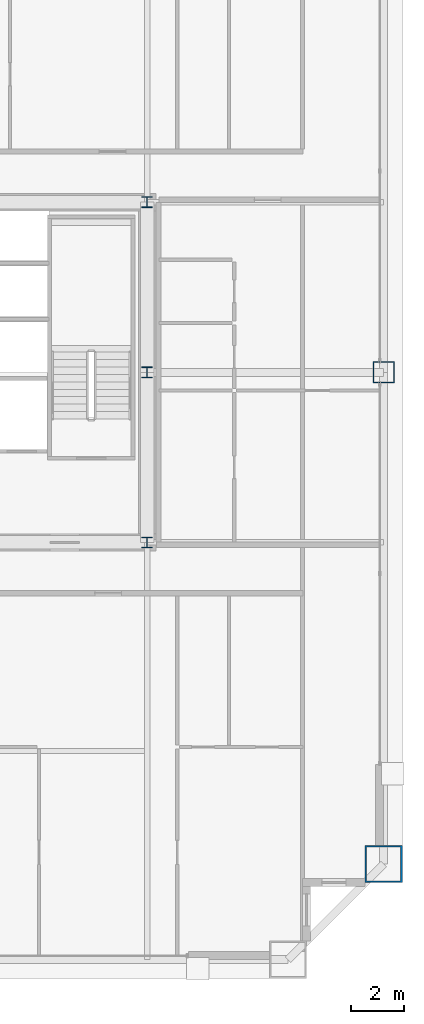
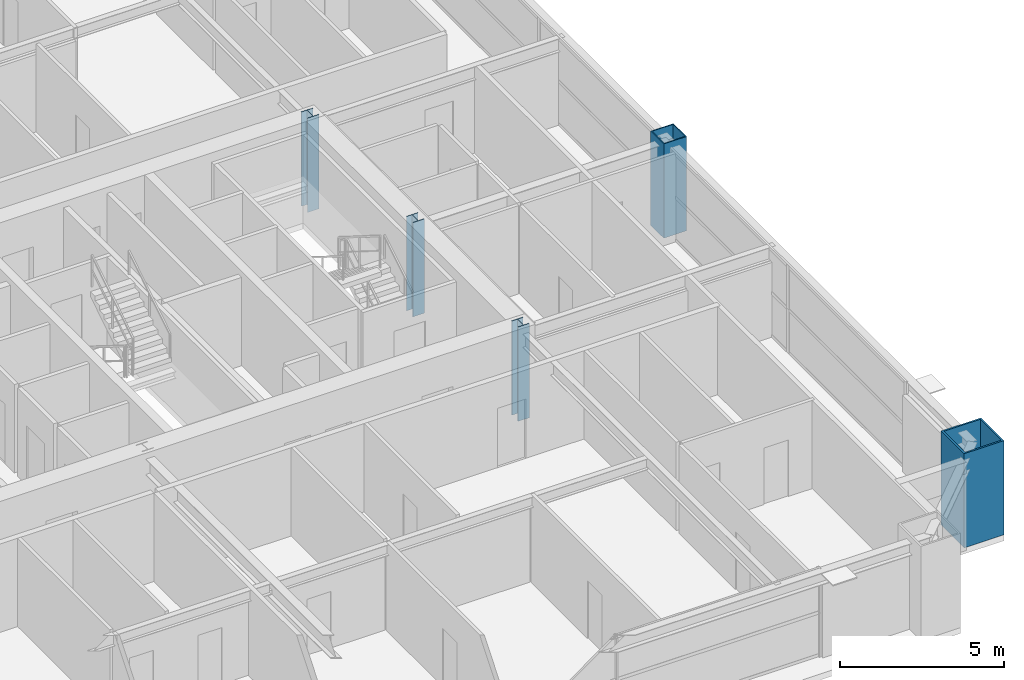
# One storey, part 2 of 38: 5 columns.
"""IFC4 building model written with IfcOpenShell, lengths in metres."""

from ifc_helpers import new_model, si_unit, direction, frame, origin, origin_2d, place, context, subcontext, project, spatial, hollow_rectangle, i_section, extrude, source, transform, mapped, material, material_profile, profile_set, type_object, element, save


model = new_model("IFC4")

# Units and contexts
model_context = context("Model", 3, precision=1e-05, world=origin(), true_north=direction((0.0, 1.0)))
body_context = subcontext(model_context, "Body", "Model", "MODEL_VIEW")
ifc_project = project(units=[si_unit("LENGTHUNIT", "METRE"), si_unit("AREAUNIT", "SQUARE_METRE"), si_unit("VOLUMEUNIT", "CUBIC_METRE"), si_unit("PLANEANGLEUNIT", "RADIAN"), si_unit("MASSUNIT", "GRAM", prefix="KILO"), si_unit("THERMODYNAMICTEMPERATUREUNIT", "KELVIN"), si_unit("POWERUNIT", "WATT")], contexts=[model_context])

# Site, building, storey
site_placement = place(None, origin())
site = spatial("IfcSite", under=ifc_project, at=site_placement, CompositionType="ELEMENT")
building_placement = place(site_placement, origin())
building = spatial("IfcBuilding", under=site, at=building_placement, Name="Yuzanri Waterfront Tower", CompositionType="ELEMENT")
storey_placement = place(building_placement, frame((0.0, 0.0, 195.0)))
storey = spatial("IfcBuildingStorey", under=building, at=storey_placement, Name="L51", CompositionType="ELEMENT", Elevation=195.0)

# Columns
ifc_material_1 = material(Name="Steel Q355B", Category="steel")
ifc_material_profile_1 = material_profile(ifc_material_1, i_section(OverallWidth=0.39990234375, OverallDepth=0.39990234375, WebThickness=0.012939453125, FlangeThickness=0.02099609375, at=origin_2d()), Name="HW 400x400x13x21")
ifc_profile_set_1 = profile_set([ifc_material_profile_1], Name="Steel Q355B")
column_type_1 = type_object("IfcColumnType", Name="Core Post Q355B HW 400x400x13x21", PredefinedType="COLUMN", material=ifc_profile_set_1)
shared_shape_1 = source(origin(), body_context, "Body", "SweptSolid", [
    extrude(i_section(OverallWidth=0.39990234375, OverallDepth=0.39990234375, WebThickness=0.012939453125, FlangeThickness=0.02099609375, at=origin_2d()), origin(), (0.0, 0.0, 1.0), 3.5),
])
for number, where, z_axis, x_axis, name in (
    (1, (50.199951171875, 19.39990234375, 0.0), (0.0, 0.0, 1.0), (1.0, 0.0, 0.0), "L51 Core Boundary Column CP3"),
    (2, (50.199951171875, 25.800048828125, 0.0), (0.0, 0.0, 1.0), (1.0, 0.0, 0.0), "L51 Core Boundary Column CP5"),
    (3, (50.199951171875, 32.199951171875, 0.0), (0.0, 0.0, 1.0), (1.0, 0.0, 0.0), "L51 Core Boundary Column CP8"),
):
    element("IfcColumn", number, at=place(storey_placement, frame(where, z_axis=z_axis, x_axis=x_axis)), inside=storey, type_object=column_type_1, Name=name, PredefinedType="COLUMN", context=body_context, shape_type="MappedRepresentation", body=[
        mapped(shared_shape_1, transform((0.0, 0.0, 0.0), scale=1.0)),
    ])
ifc_material_2 = material(Name="Steel Q420GJC", Category="steel")
ifc_material_profile_2 = material_profile(ifc_material_2, hollow_rectangle(XDim=1.39990234375, YDim=1.39990234375, WallThickness=0.06005859375, at=origin_2d()), Name="RHS 1400x1400x60")
ifc_profile_set_2 = profile_set([ifc_material_profile_2], Name="Steel Q420GJC")
column_type_2 = type_object("IfcColumnType", Name="Mega Column Q420GJC RHS 1400x1400x60", PredefinedType="COLUMN", material=ifc_profile_set_2)
shared_shape_2 = source(origin(), body_context, "Body", "SweptSolid", [
    extrude(hollow_rectangle(XDim=1.39990234375, YDim=1.39990234375, WallThickness=0.06005859375, at=origin_2d()), origin(), (0.0, 0.0, 1.0), 3.5),
])
column_1_placement = place(storey_placement, frame((59.10009765625, 7.300048828125, 0.0), z_axis=(0.0, 0.0, 1.0), x_axis=(1.0, 0.0, 0.0)))
element("IfcColumn", 4, at=column_1_placement, inside=storey, type_object=column_type_2, Name="L51 Perimeter Mega Column E1", PredefinedType="COLUMN", context=body_context, shape_type="MappedRepresentation", body=[
    mapped(shared_shape_2, transform((0.0, 0.0, 0.0), scale=1.0)),
])
ifc_material_3 = material(Name="Steel Q390GJC", Category="steel")
ifc_material_profile_3 = material_profile(ifc_material_3, hollow_rectangle(XDim=0.800048828125, YDim=0.800048828125, WallThickness=0.035888671875, at=origin_2d()), Name="RHS 800x800x36")
ifc_profile_set_3 = profile_set([ifc_material_profile_3], Name="Steel Q390GJC")
column_type_3 = type_object("IfcColumnType", Name="Frame Column Q390GJC RHS 800x800x36", PredefinedType="COLUMN", material=ifc_profile_set_3)
shared_shape_3 = source(origin(), body_context, "Body", "SweptSolid", [
    extrude(hollow_rectangle(XDim=0.800048828125, YDim=0.800048828125, WallThickness=0.035888671875, at=origin_2d()), origin(), (0.0, 0.0, 1.0), 3.5),
])
column_2_placement = place(storey_placement, frame((59.10009765625, 25.800048828125, 0.0), z_axis=(0.0, 0.0, 1.0), x_axis=(1.0, 0.0, 0.0)))
element("IfcColumn", 5, at=column_2_placement, inside=storey, type_object=column_type_3, Name="L51 Perimeter Frame Column E2", PredefinedType="COLUMN", context=body_context, shape_type="MappedRepresentation", body=[
    mapped(shared_shape_3, transform((0.0, 0.0, 0.0), scale=1.0)),
])

save(model, "model.ifc")
